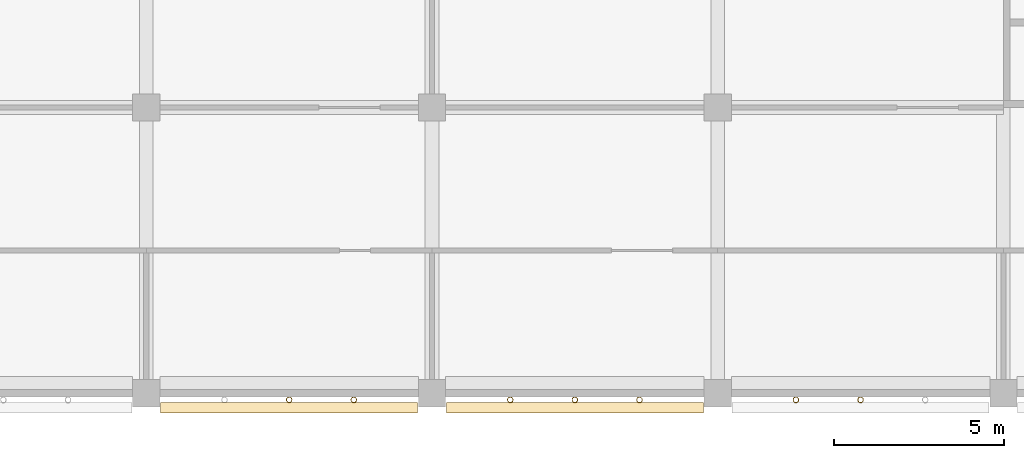
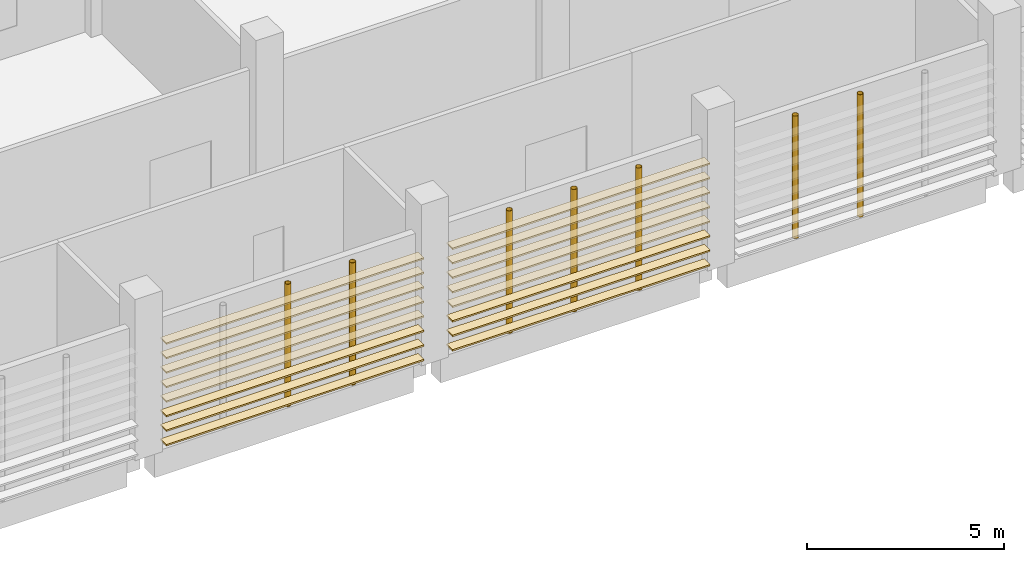
# One storey, part 63 of 101: 16 coverings, 7 shading devices.
"""IFC4 building model written with IfcOpenShell, lengths in metres."""

from ifc_helpers import new_model, si_unit, direction, frame, origin, origin_2d, place, context, subcontext, project, spatial, rectangle, hollow_circle, extrude, material, material_profile, profile_set, type_object, element, save


model = new_model("IFC4")

# Units and contexts
model_context = context("Model", 3, precision=1e-05, world=origin(), true_north=direction((0.0, 1.0)))
body_context = subcontext(model_context, "Body", "Model", "MODEL_VIEW")
ifc_project = project(units=[si_unit("LENGTHUNIT", "METRE"), si_unit("AREAUNIT", "SQUARE_METRE"), si_unit("VOLUMEUNIT", "CUBIC_METRE"), si_unit("PLANEANGLEUNIT", "RADIAN"), si_unit("MASSUNIT", "GRAM", prefix="KILO")], contexts=[model_context])

# Site, building, storey
site_placement = place(None, origin())
site = spatial("IfcSite", under=ifc_project, at=site_placement, CompositionType="ELEMENT")
building_placement = place(site_placement, origin())
building = spatial("IfcBuilding", under=site, at=building_placement, Name="Almond Square Museum", CompositionType="ELEMENT")
storey_placement = place(building_placement, frame((0.0, 0.0, 5.5)))
storey = spatial("IfcBuildingStorey", under=building, at=storey_placement, Name="L01", CompositionType="ELEMENT", Elevation=5.5)

# Shading devices
ifc_material_1 = material(Name="Structural steel S355", Category="steel")
ifc_material_profile_1 = material_profile(ifc_material_1, hollow_circle(Radius=0.084228515625, WallThickness=0.008056640625, at=origin_2d()))
ifc_profile_set_1 = profile_set([ifc_material_profile_1], Name="Structural steel S355")
shading_device_type = type_object("IfcShadingDeviceType", Name="Louvre post CHS 168.3 x 8", PredefinedType="USERDEFINED", material=ifc_profile_set_1)
for number, where, z_axis, x_axis, name in (
    (1, (35.39990234375, -0.194091796875, 0.0), (0.0, 0.0, 1.0), (1.0, 0.0, 0.0), "Louvre screen post"),
    (2, (37.300048828125, -0.194091796875, 0.0), (0.0, 0.0, 1.0), (1.0, 0.0, 0.0), "Louvre screen post"),
    (3, (41.89990234375, -0.194091796875, 0.0), (0.0, 0.0, 1.0), (1.0, 0.0, 0.0), "Louvre screen post"),
    (4, (43.800048828125, -0.194091796875, 0.0), (0.0, 0.0, 1.0), (1.0, 0.0, 0.0), "Louvre screen post"),
    (5, (45.699951171875, -0.194091796875, 0.0), (0.0, 0.0, 1.0), (1.0, 0.0, 0.0), "Louvre screen post"),
    (6, (50.300048828125, -0.194091796875, 0.0), (0.0, 0.0, 1.0), (1.0, 0.0, 0.0), "Louvre screen post"),
    (7, (52.199951171875, -0.194091796875, 0.0), (0.0, 0.0, 1.0), (1.0, 0.0, 0.0), "Louvre screen post"),
):
    element("IfcShadingDevice", number, at=place(storey_placement, frame(where, z_axis=z_axis, x_axis=x_axis)), inside=storey, type_object=shading_device_type, Name=name, ObjectType="POST", PredefinedType="USERDEFINED", context=body_context, shape_type="SweptSolid", body=[
        extrude(hollow_circle(Radius=0.084228515625, WallThickness=0.008056640625, at=origin_2d()), origin(), (0.0, 0.0, 1.0), 3.800048828125),
    ])

# Coverings
ifc_material_2 = material(Name="Cedar timber louvre board", Category="wood")
ifc_material_profile_2 = material_profile(ifc_material_2, rectangle(XDim=0.300048828125, YDim=0.050048828125, at=origin_2d()))
ifc_profile_set_2 = profile_set([ifc_material_profile_2], Name="Cedar timber louvre board")
covering_type = type_object("IfcCoveringType", Name="Louvre screen board 300 x 50", PredefinedType="CLADDING", material=ifc_profile_set_2)
for number, where, z_axis, x_axis, name in (
    (8, (31.6201171875, -0.42431640625, 0.300048828125), (1.0, 0.0, 0.0), (0.0, 1.0, 0.0), "Louvre screen board"),
    (9, (31.6201171875, -0.42431640625, 0.75), (1.0, 0.0, 0.0), (0.0, 1.0, 0.0), "Louvre screen board"),
    (10, (31.6201171875, -0.42431640625, 1.199951171875), (1.0, 0.0, 0.0), (0.0, 1.0, 0.0), "Louvre screen board"),
    (11, (31.6201171875, -0.42431640625, 1.64990234375), (1.0, 0.0, 0.0), (0.0, 1.0, 0.0), "Louvre screen board"),
    (12, (31.6201171875, -0.42431640625, 2.10009765625), (1.0, 0.0, 0.0), (0.0, 1.0, 0.0), "Louvre screen board"),
    (13, (31.6201171875, -0.42431640625, 2.550048828125), (1.0, 0.0, 0.0), (0.0, 1.0, 0.0), "Louvre screen board"),
    (14, (31.6201171875, -0.42431640625, 3.0), (1.0, 0.0, 0.0), (0.0, 1.0, 0.0), "Louvre screen board"),
    (15, (31.6201171875, -0.42431640625, 3.449951171875), (1.0, 0.0, 0.0), (0.0, 1.0, 0.0), "Louvre screen board"),
):
    element("IfcCovering", number, at=place(storey_placement, frame(where, z_axis=z_axis, x_axis=x_axis)), inside=storey, type_object=covering_type, Name=name, PredefinedType="CLADDING", context=body_context, shape_type="SweptSolid", body=[
        extrude(rectangle(XDim=0.300048828125, YDim=0.050048828125, at=origin_2d()), origin(), (0.0, 0.0, 1.0), 7.559814453125),
    ])
for number, where, z_axis, x_axis, name in (
    (16, (40.02001953125, -0.42431640625, 0.300048828125), (1.0, 0.0, 0.0), (0.0, 1.0, 0.0), "Louvre screen board"),
    (17, (40.02001953125, -0.42431640625, 0.75), (1.0, 0.0, 0.0), (0.0, 1.0, 0.0), "Louvre screen board"),
    (18, (40.02001953125, -0.42431640625, 1.199951171875), (1.0, 0.0, 0.0), (0.0, 1.0, 0.0), "Louvre screen board"),
    (19, (40.02001953125, -0.42431640625, 1.64990234375), (1.0, 0.0, 0.0), (0.0, 1.0, 0.0), "Louvre screen board"),
    (20, (40.02001953125, -0.42431640625, 2.10009765625), (1.0, 0.0, 0.0), (0.0, 1.0, 0.0), "Louvre screen board"),
    (21, (40.02001953125, -0.42431640625, 2.550048828125), (1.0, 0.0, 0.0), (0.0, 1.0, 0.0), "Louvre screen board"),
    (22, (40.02001953125, -0.42431640625, 3.0), (1.0, 0.0, 0.0), (0.0, 1.0, 0.0), "Louvre screen board"),
    (23, (40.02001953125, -0.42431640625, 3.449951171875), (1.0, 0.0, 0.0), (0.0, 1.0, 0.0), "Louvre screen board"),
):
    element("IfcCovering", number, at=place(storey_placement, frame(where, z_axis=z_axis, x_axis=x_axis)), inside=storey, type_object=covering_type, Name=name, PredefinedType="CLADDING", context=body_context, shape_type="SweptSolid", body=[
        extrude(rectangle(XDim=0.300048828125, YDim=0.050048828125, at=origin_2d()), origin(), (0.0, 0.0, 1.0), 7.56005859375),
    ])

save(model, "model.ifc")
